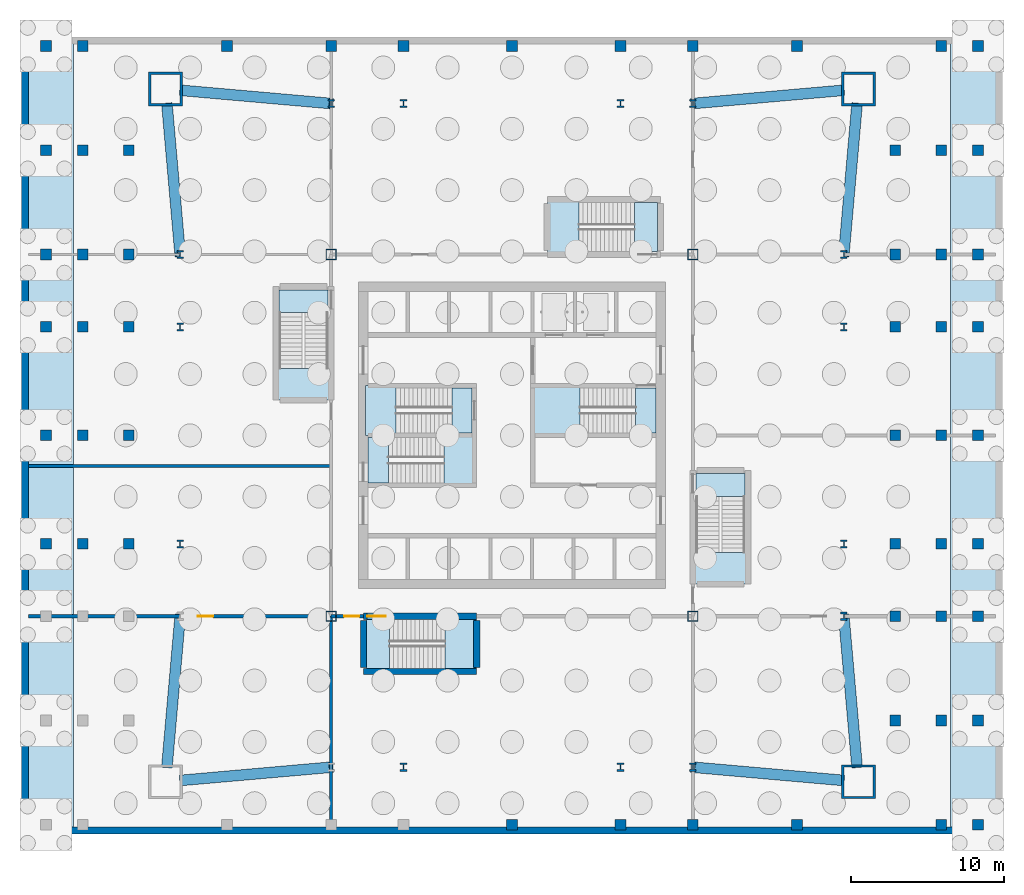
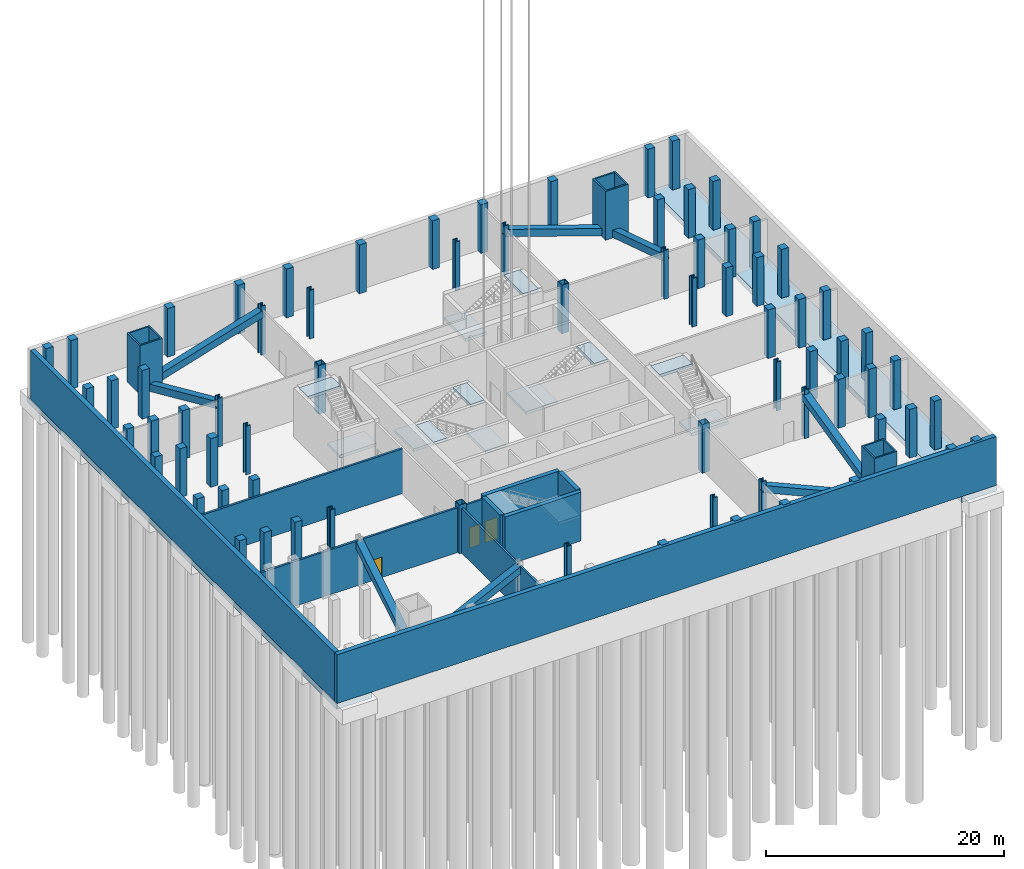
# One storey, part 2 of 8: 74 columns, 15 slabs, 10 walls, 8 members, 3 doors, 3 openings, 7 elements without a shape of their own.
"""IFC4 building model written with IfcOpenShell, lengths in metres."""

from ifc_helpers import new_model, si_unit, direction, frame, frame_2d, origin, origin_2d, place, context, subcontext, project, spatial, polyline, rectangle, hollow_rectangle, i_section, outline, extrude, material, layer, layer_set, material_profile, profile_set, type_object, element, fill, aggregate, save


model = new_model("IFC4")

# Units and contexts
model_context = context("Model", 3, precision=1e-05, world=origin(), true_north=direction((0.0, 1.0)))
body_context = subcontext(model_context, "Body", "Model", "MODEL_VIEW")
ifc_project = project(units=[si_unit("LENGTHUNIT", "METRE"), si_unit("AREAUNIT", "SQUARE_METRE"), si_unit("VOLUMEUNIT", "CUBIC_METRE"), si_unit("PLANEANGLEUNIT", "RADIAN"), si_unit("MASSUNIT", "GRAM", prefix="KILO")], contexts=[model_context])

# Site, building, storey
site_placement = place(None, origin())
site = spatial("IfcSite", under=ifc_project, at=site_placement, CompositionType="ELEMENT")
building_placement = place(site_placement, origin())
building = spatial("IfcBuilding", under=site, at=building_placement, Name="Turquesa Mirador Hotel Tower", CompositionType="ELEMENT")
storey_placement = place(building_placement, frame((0.0, 0.0, -5.0)))
storey = spatial("IfcBuildingStorey", under=building, at=storey_placement, Name="B1", CompositionType="ELEMENT", Elevation=-5.0)

# Columns
ifc_material_1 = material(Name="Steel ASTM A572 Grade 50", Category="steel")
ifc_material_profile_1 = material_profile(ifc_material_1, hollow_rectangle(XDim=0.699951171875, YDim=0.699951171875, WallThickness=0.06005859375, at=origin_2d()), Name="BOX700X700X60")
ifc_profile_set_1 = profile_set([ifc_material_profile_1], Name="Steel ASTM A572 Grade 50")
column_type_1 = type_object("IfcColumnType", Name="COLUMN BOX700X700X60", PredefinedType="COLUMN", material=ifc_profile_set_1)
for number, where, z_axis, x_axis, name in (
    (1, (43.199951171875, 33.199951171875, 0.0), (0.0, 0.0, 1.0), (1.0, 0.0, 0.0), "COL-B1-K--11.80--11.80"),
    (2, (43.199951171875, 56.800048828125, 0.0), (0.0, 0.0, 1.0), (1.0, 0.0, 0.0), "COL-B1-K--11.80-+11.80"),
    (3, (66.800048828125, 33.199951171875, 0.0), (0.0, 0.0, 1.0), (1.0, 0.0, 0.0), "COL-B1-K-+11.80--11.80"),
    (4, (66.800048828125, 56.800048828125, 0.0), (0.0, 0.0, 1.0), (1.0, 0.0, 0.0), "COL-B1-K-+11.80-+11.80"),
):
    element("IfcColumn", number, at=place(storey_placement, frame(where, z_axis=z_axis, x_axis=x_axis)), inside=storey, type_object=column_type_1, Name=name, PredefinedType="COLUMN", context=body_context, shape_type="SweptSolid", body=[
        extrude(hollow_rectangle(XDim=0.699951171875, YDim=0.699951171875, WallThickness=0.06005859375, at=origin_2d()), origin(), (0.0, 0.0, 1.0), 5.0),
    ])
ifc_material_2 = material(Name="Steel ASTM A992 Grade 50", Category="steel")
ifc_material_profile_2 = material_profile(ifc_material_2, i_section(OverallWidth=0.44189453125, OverallDepth=0.53076171875, WebThickness=0.06591796875, FlangeThickness=0.105712890625, at=origin_2d()), Name="W14X605")
ifc_profile_set_2 = profile_set([ifc_material_profile_2], Name="Steel ASTM A992 Grade 50")
column_type_2 = type_object("IfcColumnType", Name="COLUMN W14X605", PredefinedType="COLUMN", material=ifc_profile_set_2)
for number, where, z_axis, x_axis, name in (
    (5, (33.35009765625, 37.919921875, 0.0), (0.0, 0.0, 1.0), (1.0, 0.0, 0.0), "COL-B1-P--21.65--7.08"),
    (6, (33.35009765625, 52.080078125, 0.0), (0.0, 0.0, 1.0), (1.0, 0.0, 0.0), "COL-B1-P--21.65-+7.08"),
    (7, (33.35009765625, 56.800048828125, 0.0), (0.0, 0.0, 1.0), (1.0, 0.0, 0.0), "COL-B1-P--21.65-+11.80"),
    (8, (43.199951171875, 66.64990234375, 0.0), (0.0, 0.0, 1.0), (1.0, 0.0, 0.0), "COL-B1-P--11.80-+21.65"),
    (9, (47.919921875, 23.35009765625, 0.0), (0.0, 0.0, 1.0), (1.0, 0.0, 0.0), "COL-B1-P--7.08--21.65"),
    (10, (47.919921875, 66.64990234375, 0.0), (0.0, 0.0, 1.0), (1.0, 0.0, 0.0), "COL-B1-P--7.08-+21.65"),
    (11, (62.080078125, 23.35009765625, 0.0), (0.0, 0.0, 1.0), (1.0, 0.0, 0.0), "COL-B1-P-+7.08--21.65"),
    (12, (62.080078125, 66.64990234375, 0.0), (0.0, 0.0, 1.0), (1.0, 0.0, 0.0), "COL-B1-P-+7.08-+21.65"),
    (13, (66.800048828125, 23.35009765625, 0.0), (0.0, 0.0, 1.0), (1.0, 0.0, 0.0), "COL-B1-P-+11.80--21.65"),
    (14, (66.800048828125, 66.64990234375, 0.0), (0.0, 0.0, 1.0), (1.0, 0.0, 0.0), "COL-B1-P-+11.80-+21.65"),
    (15, (76.64990234375, 33.199951171875, 0.0), (0.0, 0.0, 1.0), (1.0, 0.0, 0.0), "COL-B1-P-+21.65--11.80"),
    (16, (76.64990234375, 37.919921875, 0.0), (0.0, 0.0, 1.0), (1.0, 0.0, 0.0), "COL-B1-P-+21.65--7.08"),
    (17, (76.64990234375, 52.080078125, 0.0), (0.0, 0.0, 1.0), (1.0, 0.0, 0.0), "COL-B1-P-+21.65-+7.08"),
    (18, (76.64990234375, 56.800048828125, 0.0), (0.0, 0.0, 1.0), (1.0, 0.0, 0.0), "COL-B1-P-+21.65-+11.80"),
):
    element("IfcColumn", number, at=place(storey_placement, frame(where, z_axis=z_axis, x_axis=x_axis)), inside=storey, type_object=column_type_2, Name=name, PredefinedType="COLUMN", context=body_context, shape_type="SweptSolid", body=[
        extrude(i_section(OverallWidth=0.44189453125, OverallDepth=0.53076171875, WebThickness=0.06591796875, FlangeThickness=0.105712890625, at=origin_2d()), origin(), (0.0, 0.0, 1.0), 5.0),
    ])
ifc_material_3 = material(Name="Steel ASTM A514 Grade Q", Category="steel")
ifc_material_profile_3 = material_profile(ifc_material_3, hollow_rectangle(XDim=2.199951171875, YDim=2.199951171875, WallThickness=0.14990234375, at=origin_2d()), Name="BOX2200X2200X150")
ifc_profile_set_3 = profile_set([ifc_material_profile_3], Name="Steel ASTM A514 Grade Q")
column_type_3 = type_object("IfcColumnType", Name="MEGA COLUMN BOX2200X2200X150", PredefinedType="COLUMN", material=ifc_profile_set_3)
for number, where, z_axis, x_axis, name in (
    (19, (77.60009765625, 67.60009765625, 0.0), (0.0, 0.0, 1.0), (1.0, 0.0, 0.0), "Mega column M1"),
    (20, (32.39990234375, 67.60009765625, 0.0), (0.0, 0.0, 1.0), (1.0, 0.0, 0.0), "Mega column M2"),
    (21, (77.60009765625, 22.39990234375, 0.0), (0.0, 0.0, 1.0), (1.0, 0.0, 0.0), "Mega column M4"),
):
    element("IfcColumn", number, at=place(storey_placement, frame(where, z_axis=z_axis, x_axis=x_axis)), inside=storey, type_object=column_type_3, Name=name, PredefinedType="COLUMN", context=body_context, shape_type="SweptSolid", body=[
        extrude(hollow_rectangle(XDim=2.199951171875, YDim=2.199951171875, WallThickness=0.14990234375, at=origin_2d()), origin(), (0.0, 0.0, 1.0), 5.0),
    ])
ifc_material_4 = material(Name="Concrete C50/60", Category="concrete")
ifc_material_profile_4 = material_profile(ifc_material_4, rectangle(XDim=0.699951171875, YDim=0.699951171875, at=origin_2d()), Name="RC 700X700")
ifc_profile_set_4 = profile_set([ifc_material_profile_4], Name="Concrete C50/60")
column_type_4 = type_object("IfcColumnType", Name="PODIUM COLUMN 700X700", PredefinedType="COLUMN", material=ifc_profile_set_4)
for number, where, z_axis, x_axis, name in (
    (22, (24.60009765625, 37.919921875, 0.0), (0.0, 0.0, 1.0), (1.0, 0.0, 0.0), "PCOL-B1--30.40--7.08"),
    (23, (24.60009765625, 45.0, 0.0), (0.0, 0.0, 1.0), (1.0, 0.0, 0.0), "PCOL-B1--30.40-+0.00"),
    (24, (24.60009765625, 52.080078125, 0.0), (0.0, 0.0, 1.0), (1.0, 0.0, 0.0), "PCOL-B1--30.40-+7.08"),
    (25, (24.60009765625, 56.800048828125, 0.0), (0.0, 0.0, 1.0), (1.0, 0.0, 0.0), "PCOL-B1--30.40-+11.80"),
    (26, (24.60009765625, 63.60009765625, 0.0), (0.0, 0.0, 1.0), (1.0, 0.0, 0.0), "PCOL-B1--30.40-+18.60"),
    (27, (24.60009765625, 70.39990234375, 0.0), (0.0, 0.0, 1.0), (1.0, 0.0, 0.0), "PCOL-B1--30.40-+25.40"),
    (28, (27.0, 37.919921875, 0.0), (0.0, 0.0, 1.0), (1.0, 0.0, 0.0), "PCOL-B1--28.00--7.08"),
    (29, (27.0, 45.0, 0.0), (0.0, 0.0, 1.0), (1.0, 0.0, 0.0), "PCOL-B1--28.00-+0.00"),
    (30, (27.0, 52.080078125, 0.0), (0.0, 0.0, 1.0), (1.0, 0.0, 0.0), "PCOL-B1--28.00-+7.08"),
    (31, (27.0, 56.800048828125, 0.0), (0.0, 0.0, 1.0), (1.0, 0.0, 0.0), "PCOL-B1--28.00-+11.80"),
    (32, (27.0, 63.60009765625, 0.0), (0.0, 0.0, 1.0), (1.0, 0.0, 0.0), "PCOL-B1--28.00-+18.60"),
    (33, (27.0, 70.39990234375, 0.0), (0.0, 0.0, 1.0), (1.0, 0.0, 0.0), "PCOL-B1--28.00-+25.40"),
    (34, (30.0, 37.919921875, 0.0), (0.0, 0.0, 1.0), (1.0, 0.0, 0.0), "PCOL-B1--25.00--7.08"),
    (35, (30.0, 45.0, 0.0), (0.0, 0.0, 1.0), (1.0, 0.0, 0.0), "PCOL-B1--25.00-+0.00"),
    (36, (30.0, 52.080078125, 0.0), (0.0, 0.0, 1.0), (1.0, 0.0, 0.0), "PCOL-B1--25.00-+7.08"),
    (37, (30.0, 56.800048828125, 0.0), (0.0, 0.0, 1.0), (1.0, 0.0, 0.0), "PCOL-B1--25.00-+11.80"),
    (38, (30.0, 63.60009765625, 0.0), (0.0, 0.0, 1.0), (1.0, 0.0, 0.0), "PCOL-B1--25.00-+18.60"),
    (39, (36.39990234375, 70.39990234375, 0.0), (0.0, 0.0, 1.0), (1.0, 0.0, 0.0), "PCOL-B1--18.60-+25.40"),
    (40, (43.199951171875, 70.39990234375, 0.0), (0.0, 0.0, 1.0), (1.0, 0.0, 0.0), "PCOL-B1--11.80-+25.40"),
    (41, (47.919921875, 70.39990234375, 0.0), (0.0, 0.0, 1.0), (1.0, 0.0, 0.0), "PCOL-B1--7.08-+25.40"),
    (42, (55.0, 19.60009765625, 0.0), (0.0, 0.0, 1.0), (1.0, 0.0, 0.0), "PCOL-B1-+0.00--25.40"),
    (43, (55.0, 70.39990234375, 0.0), (0.0, 0.0, 1.0), (1.0, 0.0, 0.0), "PCOL-B1-+0.00-+25.40"),
    (44, (62.080078125, 19.60009765625, 0.0), (0.0, 0.0, 1.0), (1.0, 0.0, 0.0), "PCOL-B1-+7.08--25.40"),
    (45, (62.080078125, 70.39990234375, 0.0), (0.0, 0.0, 1.0), (1.0, 0.0, 0.0), "PCOL-B1-+7.08-+25.40"),
    (46, (66.800048828125, 19.60009765625, 0.0), (0.0, 0.0, 1.0), (1.0, 0.0, 0.0), "PCOL-B1-+11.80--25.40"),
    (47, (66.800048828125, 70.39990234375, 0.0), (0.0, 0.0, 1.0), (1.0, 0.0, 0.0), "PCOL-B1-+11.80-+25.40"),
    (48, (73.60009765625, 19.60009765625, 0.0), (0.0, 0.0, 1.0), (1.0, 0.0, 0.0), "PCOL-B1-+18.60--25.40"),
    (49, (73.60009765625, 70.39990234375, 0.0), (0.0, 0.0, 1.0), (1.0, 0.0, 0.0), "PCOL-B1-+18.60-+25.40"),
    (50, (80.0, 26.39990234375, 0.0), (0.0, 0.0, 1.0), (1.0, 0.0, 0.0), "PCOL-B1-+25.00--18.60"),
    (51, (80.0, 33.199951171875, 0.0), (0.0, 0.0, 1.0), (1.0, 0.0, 0.0), "PCOL-B1-+25.00--11.80"),
    (52, (80.0, 37.919921875, 0.0), (0.0, 0.0, 1.0), (1.0, 0.0, 0.0), "PCOL-B1-+25.00--7.08"),
    (53, (80.0, 45.0, 0.0), (0.0, 0.0, 1.0), (1.0, 0.0, 0.0), "PCOL-B1-+25.00-+0.00"),
    (54, (80.0, 52.080078125, 0.0), (0.0, 0.0, 1.0), (1.0, 0.0, 0.0), "PCOL-B1-+25.00-+7.08"),
    (55, (80.0, 56.800048828125, 0.0), (0.0, 0.0, 1.0), (1.0, 0.0, 0.0), "PCOL-B1-+25.00-+11.80"),
    (56, (80.0, 63.60009765625, 0.0), (0.0, 0.0, 1.0), (1.0, 0.0, 0.0), "PCOL-B1-+25.00-+18.60"),
    (57, (83.0, 19.60009765625, 0.0), (0.0, 0.0, 1.0), (1.0, 0.0, 0.0), "PCOL-B1-+28.00--25.40"),
    (58, (83.0, 26.39990234375, 0.0), (0.0, 0.0, 1.0), (1.0, 0.0, 0.0), "PCOL-B1-+28.00--18.60"),
    (59, (83.0, 33.199951171875, 0.0), (0.0, 0.0, 1.0), (1.0, 0.0, 0.0), "PCOL-B1-+28.00--11.80"),
    (60, (83.0, 37.919921875, 0.0), (0.0, 0.0, 1.0), (1.0, 0.0, 0.0), "PCOL-B1-+28.00--7.08"),
    (61, (83.0, 45.0, 0.0), (0.0, 0.0, 1.0), (1.0, 0.0, 0.0), "PCOL-B1-+28.00-+0.00"),
    (62, (83.0, 52.080078125, 0.0), (0.0, 0.0, 1.0), (1.0, 0.0, 0.0), "PCOL-B1-+28.00-+7.08"),
    (63, (83.0, 56.800048828125, 0.0), (0.0, 0.0, 1.0), (1.0, 0.0, 0.0), "PCOL-B1-+28.00-+11.80"),
    (64, (83.0, 63.60009765625, 0.0), (0.0, 0.0, 1.0), (1.0, 0.0, 0.0), "PCOL-B1-+28.00-+18.60"),
    (65, (83.0, 70.39990234375, 0.0), (0.0, 0.0, 1.0), (1.0, 0.0, 0.0), "PCOL-B1-+28.00-+25.40"),
    (66, (85.39990234375, 19.60009765625, 0.0), (0.0, 0.0, 1.0), (1.0, 0.0, 0.0), "PCOL-B1-+30.40--25.40"),
    (67, (85.39990234375, 26.39990234375, 0.0), (0.0, 0.0, 1.0), (1.0, 0.0, 0.0), "PCOL-B1-+30.40--18.60"),
    (68, (85.39990234375, 33.199951171875, 0.0), (0.0, 0.0, 1.0), (1.0, 0.0, 0.0), "PCOL-B1-+30.40--11.80"),
    (69, (85.39990234375, 37.919921875, 0.0), (0.0, 0.0, 1.0), (1.0, 0.0, 0.0), "PCOL-B1-+30.40--7.08"),
    (70, (85.39990234375, 45.0, 0.0), (0.0, 0.0, 1.0), (1.0, 0.0, 0.0), "PCOL-B1-+30.40-+0.00"),
    (71, (85.39990234375, 52.080078125, 0.0), (0.0, 0.0, 1.0), (1.0, 0.0, 0.0), "PCOL-B1-+30.40-+7.08"),
    (72, (85.39990234375, 56.800048828125, 0.0), (0.0, 0.0, 1.0), (1.0, 0.0, 0.0), "PCOL-B1-+30.40-+11.80"),
    (73, (85.39990234375, 63.60009765625, 0.0), (0.0, 0.0, 1.0), (1.0, 0.0, 0.0), "PCOL-B1-+30.40-+18.60"),
    (74, (85.39990234375, 70.39990234375, 0.0), (0.0, 0.0, 1.0), (1.0, 0.0, 0.0), "PCOL-B1-+30.40-+25.40"),
):
    element("IfcColumn", number, at=place(storey_placement, frame(where, z_axis=z_axis, x_axis=x_axis)), inside=storey, type_object=column_type_4, Name=name, PredefinedType="COLUMN", context=body_context, shape_type="SweptSolid", body=[
        extrude(rectangle(XDim=0.699951171875, YDim=0.699951171875, at=origin_2d()), origin(), (0.0, 0.0, 1.0), 5.0),
    ])

# Members
ifc_material_5 = material(Name="Steel ASTM A572 Grade 50", Category="steel")
ifc_material_profile_5 = material_profile(ifc_material_5, hollow_rectangle(XDim=0.699951171875, YDim=0.699951171875, WallThickness=0.06005859375, at=origin_2d()), Name="BOX700X700X60")
ifc_profile_set_5 = profile_set([ifc_material_profile_5], Name="Steel ASTM A572 Grade 50")
member_type = type_object("IfcMemberType", Name="PODIUM BRACE BOX700X700X60", PredefinedType="BRACE", material=ifc_profile_set_5)
for number, where, z_axis, x_axis, name in (
    (75, (33.449951171875, 67.507568359375, 0.4130859375), (0.927436484324, -0.081582641462, 0.364973752695), (0.087627369437, 0.996153323603, 0.0), "Podium brace N"),
    (76, (76.550048828125, 67.507568359375, 0.4130859375), (-0.927436484324, -0.081582641462, 0.364973752695), (0.087627369437, -0.996153323603, 0.0), "Podium brace N"),
    (77, (33.449951171875, 22.492431640625, 0.4130859375), (0.927436484324, 0.081582641462, 0.364973752695), (-0.087627369437, 0.996153323603, 0.0), "Podium brace S"),
    (78, (76.550048828125, 22.492431640625, 0.4130859375), (-0.927436484324, 0.081582641462, 0.364973752695), (-0.087627369437, -0.996153323603, 0.0), "Podium brace S"),
    (79, (77.507568359375, 23.449951171875, 0.4130859375), (-0.081582641462, 0.927436484324, 0.364973752695), (-0.996153323603, -0.087627369437, 0.0), "Podium brace E"),
    (80, (77.507568359375, 66.550048828125, 0.4130859375), (-0.081582641462, -0.927436484324, 0.364973752695), (0.996153323603, -0.087627369437, 0.0), "Podium brace E"),
    (81, (32.492431640625, 23.449951171875, 0.4130859375), (0.081582641462, 0.927436484324, 0.364973752695), (-0.996153323603, 0.087627369437, 0.0), "Podium brace W"),
    (82, (32.492431640625, 66.550048828125, 0.4130859375), (0.081582641462, -0.927436484324, 0.364973752695), (0.996153323603, 0.087627369437, 0.0), "Podium brace W"),
):
    element("IfcMember", number, at=place(storey_placement, frame(where, z_axis=z_axis, x_axis=x_axis)), inside=storey, type_object=member_type, Name=name, PredefinedType="BRACE", context=body_context, shape_type="SweptSolid", body=[
        extrude(hollow_rectangle(XDim=0.699951171875, YDim=0.699951171875, WallThickness=0.06005859375, at=origin_2d()), origin(), (0.0, 0.0, 1.0), 10.512939453125),
    ])

# Slab
ifc_material_6 = material(Name="Concrete C35/45", Category="concrete")
ifc_layer_1 = layer(ifc_material_6, 0.60009765625)
ifc_layer_set_1 = layer_set([ifc_layer_1], Name="BASE SLAB 600")
slab_type_1 = type_object("IfcSlabType", Name="BASE SLAB 600", PredefinedType="BASESLAB", material=ifc_layer_set_1)
slab_1_placement = place(storey_placement, frame((0.0, 0.0, -0.60009765625)))
element("IfcSlab", 83, at=slab_1_placement, inside=storey, type_object=slab_type_1, Name="Basement slab", PredefinedType="BASESLAB", context=body_context, shape_type="SweptSolid", body=[
    extrude(outline(polyline([(23.0, 19.0), (23.0, 71.0), (26.39990234375, 71.0), (26.39990234375, 19.0), (23.0, 19.0)])), origin(), (0.0, 0.0, 1.0), 0.60009765625),
    extrude(outline(polyline([(87.0, 71.0), (87.0, 19.0), (83.60009765625, 19.0), (83.60009765625, 71.0), (87.0, 71.0)])), origin(), (0.0, 0.0, 1.0), 0.60009765625),
])

# Stair, slabs
ifc_material_7 = material(Name="Concrete C35/45", Category="concrete")
stair_type_1 = type_object("IfcStairType", Name="ESCAPE STAIR CORE", PredefinedType="HALF_TURN_STAIR", material=ifc_material_7)
stair_1_placement = place(storey_placement, origin())
stair_1 = element("IfcStair", 84, at=stair_1_placement, inside=storey, type_object=stair_type_1, Name="Stair ST1 B1 to L00", PredefinedType="HALF_TURN_STAIR")
ifc_material_8 = material(Name="Concrete C35/45", Category="concrete")
ifc_layer_2 = layer(ifc_material_8, 0.300048828125)
ifc_layer_set_2 = layer_set([ifc_layer_2], Name="STAIR LANDING 300")
slab_type_2 = type_object("IfcSlabType", Name="STAIR LANDING 300", PredefinedType="LANDING", material=ifc_layer_set_2)
slab_2_placement = place(storey_placement, frame((0.0, 0.0, 2.199951171875)))
slab_2 = element("IfcSlab", 85, at=slab_2_placement, type_object=slab_type_2, Name="ST1 landing 1", PredefinedType="LANDING", context=body_context, shape_type="SweptSolid", body=[
    extrude(outline(polyline([(45.449951171875, 45.0), (47.429931640625, 45.0), (47.429931640625, 48.25), (45.449951171875, 48.25), (45.449951171875, 45.0)])), origin(), (0.0, 0.0, 1.0), 0.300048828125),
])
slab_3_placement = place(storey_placement, frame((0.0, 0.0, 4.699951171875)))
slab_3 = element("IfcSlab", 86, at=slab_3_placement, type_object=slab_type_2, Name="ST1 landing 2", PredefinedType="LANDING", context=body_context, shape_type="SweptSolid", body=[
    extrude(outline(polyline([(51.070068359375, 45.14990234375), (52.39990234375, 45.14990234375), (52.39990234375, 48.10009765625), (51.070068359375, 48.10009765625), (51.070068359375, 45.14990234375)])), origin(), (0.0, 0.0, 1.0), 0.300048828125),
])
aggregate(stair_1, [slab_2, slab_3])

stair_2_placement = place(storey_placement, origin())
stair_2 = element("IfcStair", 87, at=stair_2_placement, inside=storey, type_object=stair_type_1, Name="Stair ST2 B1 to L00", PredefinedType="HALF_TURN_STAIR")
slab_4_placement = place(storey_placement, frame((0.0, 0.0, 2.199951171875)))
slab_4 = element("IfcSlab", 88, at=slab_4_placement, type_object=slab_type_2, Name="ST2 landing 1", PredefinedType="LANDING", context=body_context, shape_type="SweptSolid", body=[
    extrude(outline(polyline([(52.550048828125, 45.0), (50.570068359375, 45.0), (50.570068359375, 41.75), (52.550048828125, 41.75), (52.550048828125, 45.0)])), origin(), (0.0, 0.0, 1.0), 0.300048828125),
])
slab_5_placement = place(storey_placement, frame((0.0, 0.0, 4.699951171875)))
slab_5 = element("IfcSlab", 89, at=slab_5_placement, type_object=slab_type_2, Name="ST2 landing 2", PredefinedType="LANDING", context=body_context, shape_type="SweptSolid", body=[
    extrude(outline(polyline([(46.929931640625, 44.85009765625), (45.60009765625, 44.85009765625), (45.60009765625, 41.89990234375), (46.929931640625, 41.89990234375), (46.929931640625, 44.85009765625)])), origin(), (0.0, 0.0, 1.0), 0.300048828125),
])
aggregate(stair_2, [slab_4, slab_5])

stair_3_placement = place(storey_placement, origin())
stair_3 = element("IfcStair", 90, at=stair_3_placement, inside=storey, type_object=stair_type_1, Name="Stair ST3 B1 to L00", PredefinedType="HALF_TURN_STAIR")
slab_6_placement = place(storey_placement, frame((0.0, 0.0, 2.199951171875)))
slab_6 = element("IfcSlab", 91, at=slab_6_placement, type_object=slab_type_2, Name="ST3 landing 1", PredefinedType="LANDING", context=body_context, shape_type="SweptSolid", body=[
    extrude(outline(polyline([(56.35009765625, 45.0), (59.429931640625, 45.0), (59.429931640625, 48.25), (56.35009765625, 48.25), (56.35009765625, 45.0)])), origin(), (0.0, 0.0, 1.0), 0.300048828125),
])
slab_7_placement = place(storey_placement, frame((0.0, 0.0, 4.699951171875)))
slab_7 = element("IfcSlab", 92, at=slab_7_placement, type_object=slab_type_2, Name="ST3 landing 2", PredefinedType="LANDING", context=body_context, shape_type="SweptSolid", body=[
    extrude(outline(polyline([(63.070068359375, 45.14990234375), (64.39990234375, 45.14990234375), (64.39990234375, 48.10009765625), (63.070068359375, 48.10009765625), (63.070068359375, 45.14990234375)])), origin(), (0.0, 0.0, 1.0), 0.300048828125),
])
aggregate(stair_3, [slab_6, slab_7])

ifc_material_9 = material(Name="Concrete C35/45", Category="concrete")
stair_type_2 = type_object("IfcStairType", Name="ESCAPE STAIR PODIUM", PredefinedType="HALF_TURN_STAIR", material=ifc_material_9)
stair_4_placement = place(storey_placement, origin())
stair_4 = element("IfcStair", 93, at=stair_4_placement, inside=storey, type_object=stair_type_2, Name="Stair PS1 B1 to L00", PredefinedType="HALF_TURN_STAIR")
slab_8_placement = place(storey_placement, frame((0.0, 0.0, 2.199951171875)))
slab_8 = element("IfcSlab", 94, at=slab_8_placement, type_object=slab_type_2, Name="PS1 landing 1", PredefinedType="LANDING", context=body_context, shape_type="SweptSolid", body=[
    extrude(outline(polyline([(57.300048828125, 56.800048828125), (59.360107421875, 56.800048828125), (59.360107421875, 60.39990234375), (57.300048828125, 60.39990234375), (57.300048828125, 56.800048828125)])), origin(), (0.0, 0.0, 1.0), 0.300048828125),
])
slab_9_placement = place(storey_placement, frame((0.0, 0.0, 4.699951171875)))
slab_9 = element("IfcSlab", 95, at=slab_9_placement, type_object=slab_type_2, Name="PS1 landing 2", PredefinedType="LANDING", context=body_context, shape_type="SweptSolid", body=[
    extrude(outline(polyline([(63.0, 57.0), (64.5, 57.0), (64.5, 60.199951171875), (63.0, 60.199951171875), (63.0, 57.0)])), origin(), (0.0, 0.0, 1.0), 0.300048828125),
])
aggregate(stair_4, [slab_8, slab_9])

stair_5_placement = place(storey_placement, origin())
stair_5 = element("IfcStair", 96, at=stair_5_placement, inside=storey, type_object=stair_type_2, Name="Stair PS2 B1 to L00", PredefinedType="HALF_TURN_STAIR")
slab_10_placement = place(storey_placement, frame((0.0, 0.0, 2.199951171875)))
slab_10 = element("IfcSlab", 97, at=slab_10_placement, type_object=slab_type_2, Name="PS2 landing 1", PredefinedType="LANDING", context=body_context, shape_type="SweptSolid", body=[
    extrude(outline(polyline([(52.699951171875, 33.199951171875), (50.639892578125, 33.199951171875), (50.639892578125, 29.60009765625), (52.699951171875, 29.60009765625), (52.699951171875, 33.199951171875)])), origin(), (0.0, 0.0, 1.0), 0.300048828125),
])
slab_11_placement = place(storey_placement, frame((0.0, 0.0, 4.699951171875)))
slab_11 = element("IfcSlab", 98, at=slab_11_placement, type_object=slab_type_2, Name="PS2 landing 2", PredefinedType="LANDING", context=body_context, shape_type="SweptSolid", body=[
    extrude(outline(polyline([(47.0, 33.0), (45.5, 33.0), (45.5, 29.800048828125), (47.0, 29.800048828125), (47.0, 33.0)])), origin(), (0.0, 0.0, 1.0), 0.300048828125),
])
aggregate(stair_5, [slab_10, slab_11])

stair_6_placement = place(storey_placement, origin())
stair_6 = element("IfcStair", 99, at=stair_6_placement, inside=storey, type_object=stair_type_2, Name="Stair PS3 B1 to L00", PredefinedType="HALF_TURN_STAIR")
slab_12_placement = place(storey_placement, frame((0.0, 0.0, 2.199951171875)))
slab_12 = element("IfcSlab", 100, at=slab_12_placement, type_object=slab_type_2, Name="PS3 landing 1", PredefinedType="LANDING", context=body_context, shape_type="SweptSolid", body=[
    extrude(outline(polyline([(66.800048828125, 35.300048828125), (70.39990234375, 35.300048828125), (70.39990234375, 37.360107421875), (66.800048828125, 37.360107421875), (66.800048828125, 35.300048828125)])), origin(), (0.0, 0.0, 1.0), 0.300048828125),
])
slab_13_placement = place(storey_placement, frame((0.0, 0.0, 4.699951171875)))
slab_13 = element("IfcSlab", 101, at=slab_13_placement, type_object=slab_type_2, Name="PS3 landing 2", PredefinedType="LANDING", context=body_context, shape_type="SweptSolid", body=[
    extrude(outline(polyline([(67.0, 41.0), (70.199951171875, 41.0), (70.199951171875, 42.5), (67.0, 42.5), (67.0, 41.0)])), origin(), (0.0, 0.0, 1.0), 0.300048828125),
])
aggregate(stair_6, [slab_12, slab_13])

stair_7_placement = place(storey_placement, origin())
stair_7 = element("IfcStair", 102, at=stair_7_placement, inside=storey, type_object=stair_type_2, Name="Stair PS4 B1 to L00", PredefinedType="HALF_TURN_STAIR")
slab_14_placement = place(storey_placement, frame((0.0, 0.0, 2.199951171875)))
slab_14 = element("IfcSlab", 103, at=slab_14_placement, type_object=slab_type_2, Name="PS4 landing 1", PredefinedType="LANDING", context=body_context, shape_type="SweptSolid", body=[
    extrude(outline(polyline([(39.60009765625, 47.300048828125), (43.199951171875, 47.300048828125), (43.199951171875, 49.360107421875), (39.60009765625, 49.360107421875), (39.60009765625, 47.300048828125)])), origin(), (0.0, 0.0, 1.0), 0.300048828125),
])
slab_15_placement = place(storey_placement, frame((0.0, 0.0, 4.699951171875)))
slab_15 = element("IfcSlab", 104, at=slab_15_placement, type_object=slab_type_2, Name="PS4 landing 2", PredefinedType="LANDING", context=body_context, shape_type="SweptSolid", body=[
    extrude(outline(polyline([(39.800048828125, 53.0), (43.0, 53.0), (43.0, 54.5), (39.800048828125, 54.5), (39.800048828125, 53.0)])), origin(), (0.0, 0.0, 1.0), 0.300048828125),
])
aggregate(stair_7, [slab_14, slab_15])

# Wall, opening, door
ifc_material_10 = material(Name="Fire-rated gypsum board on steel studs", Category="steel")
ifc_layer_3 = layer(ifc_material_10, 0.199951171875)
ifc_layer_set_3 = layer_set([ifc_layer_3], Name="CORRIDOR WALL 200")
wall_type_1 = type_object("IfcWallType", Name="CORRIDOR WALL 200", PredefinedType="PARTITIONING", material=ifc_layer_set_3)
wall_1_placement = place(storey_placement, frame((43.199951171875, 33.199951171875, 0.0), z_axis=(0.0, 0.0, 1.0), x_axis=(1.0, 0.0, 0.0)))
wall_1 = element("IfcWall", 105, at=wall_1_placement, inside=storey, type_object=wall_type_1, Name="Partition B1 001", PredefinedType="PARTITIONING", context=body_context, shape_type="SweptSolid", body=[
    extrude(rectangle(XDim=2.10009765625, YDim=0.199951171875, at=frame_2d((1.050048828125, 0.0))), origin(), (0.0, 0.0, 1.0), 4.60009765625),
])
opening_1_placement = place(wall_1_placement, frame((0.85009765625, 0.0, 0.0)))
opening_1 = element("IfcOpeningElement", 106, at=opening_1_placement, cuts=wall_1, Name="Opening D05", PredefinedType="OPENING", context=body_context, shape_type="SweptSolid", body=[
    extrude(rectangle(XDim=1.0, YDim=2.10009765625, at=frame_2d((0.5, 1.050048828125))), frame((0.0, 0.10986328125, 0.0), z_axis=(0.0, -1.0, 0.0), x_axis=(1.0, 0.0, 0.0)), (0.0, 0.0, 1.0), 0.219970703125),
])
ifc_material_11 = material(Name="Steel fire door", Category="steel")
door_type_1 = type_object("IfcDoorType", Name="DOOR 1000X2100 SERVICE", OperationType="SINGLE_SWING_LEFT", PredefinedType="DOOR", material=ifc_material_11)
door_1_placement = place(opening_1_placement, origin())
door_1 = element("IfcDoor", 107, at=door_1_placement, inside=storey, type_object=door_type_1, Name="Door B1-01", OperationType="SINGLE_SWING_LEFT", OverallHeight=2.10009765625, OverallWidth=1.0, PredefinedType="DOOR", context=body_context, shape_type="SweptSolid", body=[
    extrude(rectangle(XDim=1.0, YDim=2.10009765625, at=frame_2d((0.5, 1.050048828125))), frame((0.0, 0.02490234375, 0.0), z_axis=(0.0, -1.0, 0.0), x_axis=(1.0, 0.0, 0.0)), (0.0, 0.0, 1.0), 0.050048828125),
])
fill(opening_1, door_1)

ifc_material_12 = material(Name="Fire-rated gypsum board on steel studs", Category="steel")
ifc_layer_4 = layer(ifc_material_12, 0.199951171875)
ifc_layer_set_4 = layer_set([ifc_layer_4], Name="FIRE PARTITION 200")
wall_type_2 = type_object("IfcWallType", Name="FIRE PARTITION 200", PredefinedType="PARTITIONING", material=ifc_layer_set_4)
wall_2_placement = place(storey_placement, frame((23.449951171875, 33.199951171875, 0.0), z_axis=(0.0, 0.0, 1.0), x_axis=(1.0, 0.0, 0.0)))
wall_2 = element("IfcWall", 108, at=wall_2_placement, inside=storey, type_object=wall_type_2, Name="Partition B1 003", PredefinedType="PARTITIONING", context=body_context, shape_type="SweptSolid", body=[
    extrude(rectangle(XDim=19.75, YDim=0.199951171875, at=frame_2d((9.875, 0.0))), origin(), (0.0, 0.0, 1.0), 4.60009765625),
])
opening_2_placement = place(wall_2_placement, frame((11.050048828125, 0.0, 0.0)))
opening_2 = element("IfcOpeningElement", 109, at=opening_2_placement, cuts=wall_2, Name="Opening D05", PredefinedType="OPENING", context=body_context, shape_type="SweptSolid", body=[
    extrude(rectangle(XDim=1.0, YDim=2.10009765625, at=frame_2d((0.5, 1.050048828125))), frame((0.0, 0.10986328125, 0.0), z_axis=(0.0, -1.0, 0.0), x_axis=(1.0, 0.0, 0.0)), (0.0, 0.0, 1.0), 0.219970703125),
])
door_2_placement = place(opening_2_placement, origin())
door_2 = element("IfcDoor", 110, at=door_2_placement, inside=storey, type_object=door_type_1, Name="Door B1-02", OperationType="SINGLE_SWING_LEFT", OverallHeight=2.10009765625, OverallWidth=1.0, PredefinedType="DOOR", context=body_context, shape_type="SweptSolid", body=[
    extrude(rectangle(XDim=1.0, YDim=2.10009765625, at=frame_2d((0.5, 1.050048828125))), frame((0.0, 0.02490234375, 0.0), z_axis=(0.0, -1.0, 0.0), x_axis=(1.0, 0.0, 0.0)), (0.0, 0.0, 1.0), 0.050048828125),
])
fill(opening_2, door_2)

# Walls
wall_3_placement = place(storey_placement, frame((23.449951171875, 43.0, 0.0), z_axis=(0.0, 0.0, 1.0), x_axis=(1.0, 0.0, 0.0)))
element("IfcWall", 111, at=wall_3_placement, inside=storey, type_object=wall_type_2, Name="Partition B1 007", PredefinedType="PARTITIONING", context=body_context, shape_type="SweptSolid", body=[
    extrude(rectangle(XDim=19.75, YDim=0.199951171875, at=frame_2d((9.875, 0.0))), origin(), (0.0, 0.0, 1.0), 4.60009765625),
])
wall_4_placement = place(storey_placement, frame((43.199951171875, 19.449951171875, 0.0), z_axis=(0.0, 0.0, 1.0), x_axis=(0.0, 1.0, 0.0)))
element("IfcWall", 112, at=wall_4_placement, inside=storey, type_object=wall_type_2, Name="Partition B1 021", PredefinedType="PARTITIONING", context=body_context, shape_type="SweptSolid", body=[
    extrude(rectangle(XDim=13.75, YDim=0.199951171875, at=frame_2d((6.875, 0.0))), origin(), (0.0, 0.0, 1.0), 4.60009765625),
])
ifc_material_13 = material(Name="Concrete C50/60", Category="concrete")
ifc_layer_5 = layer(ifc_material_13, 0.449951171875)
ifc_layer_set_5 = layer_set([ifc_layer_5], Name="RETAINING WALL 450")
wall_type_3 = type_object("IfcWallType", Name="RETAINING WALL 450", PredefinedType="SOLIDWALL", material=ifc_layer_set_5)
wall_5_placement = place(storey_placement, frame((23.0, 19.22509765625, 0.0), z_axis=(0.0, 0.0, 1.0), x_axis=(1.0, 0.0, 0.0)))
element("IfcWall", 113, at=wall_5_placement, inside=storey, type_object=wall_type_3, Name="Basement retaining wall S", PredefinedType="SOLIDWALL", context=body_context, shape_type="SweptSolid", body=[
    extrude(rectangle(XDim=64.0, YDim=0.449951171875, at=frame_2d((32.0, 0.0))), origin(), (0.0, 0.0, 1.0), 5.0),
])
wall_6_placement = place(storey_placement, frame((23.22509765625, 19.449951171875, 0.0), z_axis=(0.0, 0.0, 1.0), x_axis=(0.0, 1.0, 0.0)))
element("IfcWall", 114, at=wall_6_placement, inside=storey, type_object=wall_type_3, Name="Basement retaining wall W", PredefinedType="SOLIDWALL", context=body_context, shape_type="SweptSolid", body=[
    extrude(rectangle(XDim=51.10009765625, YDim=0.449951171875, at=frame_2d((25.550048828125, 0.0))), origin(), (0.0, 0.0, 1.0), 5.0),
])

# Wall, opening, door
ifc_material_14 = material(Name="Concrete C50/60", Category="concrete")
ifc_layer_6 = layer(ifc_material_14, 0.39990234375)
ifc_layer_set_6 = layer_set([ifc_layer_6], Name="STAIR WALL 400")
wall_type_4 = type_object("IfcWallType", Name="STAIR WALL 400", PredefinedType="SHEAR", material=ifc_layer_set_6)
wall_7_placement = place(storey_placement, frame((45.300048828125, 33.199951171875, 0.0), z_axis=(0.0, 0.0, 1.0), x_axis=(1.0, 0.0, 0.0)))
wall_7 = element("IfcWall", 115, at=wall_7_placement, inside=storey, type_object=wall_type_4, Name="Stair wall B1 005", PredefinedType="SHEAR", context=body_context, shape_type="SweptSolid", body=[
    extrude(rectangle(XDim=7.39990234375, YDim=0.39990234375, at=frame_2d((3.699951171875, 0.0))), origin(), (0.0, 0.0, 1.0), 5.0),
])
opening_3_placement = place(wall_7_placement, frame((0.25, 0.0, 0.0)))
opening_3 = element("IfcOpeningElement", 116, at=opening_3_placement, cuts=wall_7, Name="Opening D03", PredefinedType="OPENING", context=body_context, shape_type="SweptSolid", body=[
    extrude(rectangle(XDim=1.199951171875, YDim=2.199951171875, at=frame_2d((0.60009765625, 1.10009765625))), frame((0.0, 0.2099609375, 0.0), z_axis=(0.0, -1.0, 0.0), x_axis=(1.0, 0.0, 0.0)), (0.0, 0.0, 1.0), 0.419921875),
])
ifc_material_15 = material(Name="Steel fire door", Category="steel")
door_type_2 = type_object("IfcDoorType", Name="DOOR 1200X2200 STAIR", OperationType="SINGLE_SWING_LEFT", PredefinedType="DOOR", material=ifc_material_15)
door_3_placement = place(opening_3_placement, origin())
door_3 = element("IfcDoor", 117, at=door_3_placement, inside=storey, type_object=door_type_2, Name="Door B1-PS2", OperationType="SINGLE_SWING_LEFT", OverallHeight=2.199951171875, OverallWidth=1.199951171875, PredefinedType="DOOR", context=body_context, shape_type="SweptSolid", body=[
    extrude(rectangle(XDim=1.199951171875, YDim=2.199951171875, at=frame_2d((0.60009765625, 1.10009765625))), frame((0.0, 0.02490234375, 0.0), z_axis=(0.0, -1.0, 0.0), x_axis=(1.0, 0.0, 0.0)), (0.0, 0.0, 1.0), 0.050048828125),
])
fill(opening_3, door_3)

# Walls
wall_8_placement = place(storey_placement, frame((45.300048828125, 29.60009765625, 0.0), z_axis=(0.0, 0.0, 1.0), x_axis=(1.0, 0.0, 0.0)))
element("IfcWall", 118, at=wall_8_placement, inside=storey, type_object=wall_type_4, Name="Stair wall B1 006", PredefinedType="SHEAR", context=body_context, shape_type="SweptSolid", body=[
    extrude(rectangle(XDim=7.39990234375, YDim=0.39990234375, at=frame_2d((3.699951171875, 0.0))), origin(), (0.0, 0.0, 1.0), 5.0),
])
for number, where, z_axis, x_axis, name in (
    (119, (52.699951171875, 29.8701171875, 0.0), (0.0, 0.0, 1.0), (0.0, 1.0, 0.0), "Stair wall B1 025"),
    (120, (45.300048828125, 29.8701171875, 0.0), (0.0, 0.0, 1.0), (0.0, 1.0, 0.0), "Stair wall B1 026"),
):
    element("IfcWall", number, at=place(storey_placement, frame(where, z_axis=z_axis, x_axis=x_axis)), inside=storey, type_object=wall_type_4, Name=name, PredefinedType="SHEAR", context=body_context, shape_type="SweptSolid", body=[
        extrude(rectangle(XDim=3.059814453125, YDim=0.39990234375, at=frame_2d((1.52978515625, 0.0))), origin(), (0.0, 0.0, 1.0), 5.0),
    ])

save(model, "model.ifc")
